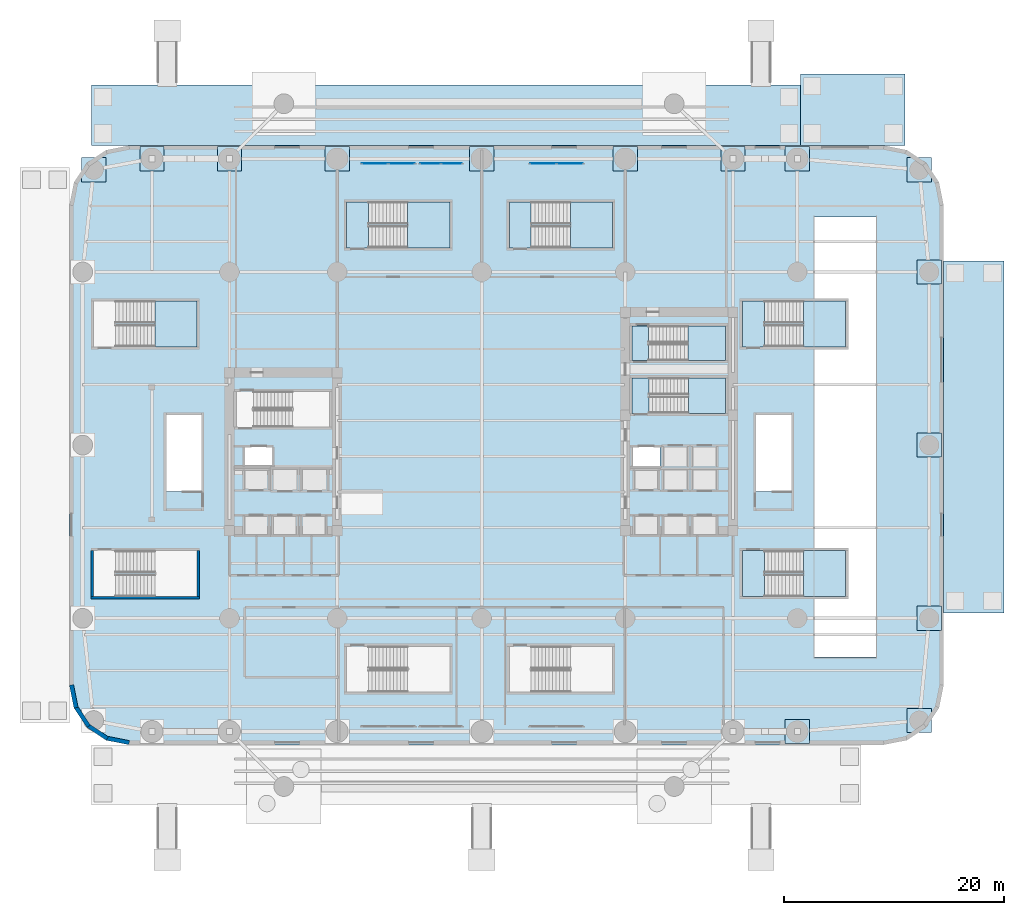
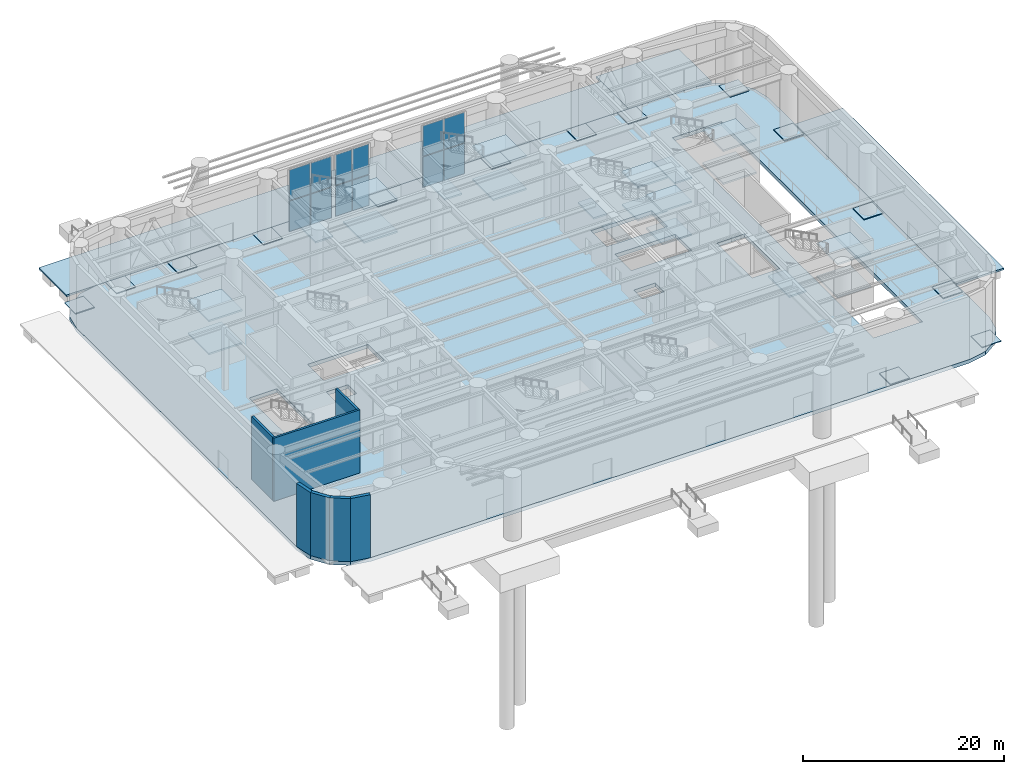
# One storey, part 8 of 25: 26 plates, 24 slabs, 7 walls, 10 elements without a shape of their own.
"""IFC4 building model written with IfcOpenShell, lengths in metres."""

from ifc_helpers import new_model, si_unit, direction, frame, frame_2d, origin, origin_2d, place, context, subcontext, project, spatial, polyline, rectangle, outline, extrude, material, layer, layer_set, type_object, element, aggregate, save


model = new_model("IFC4")

# Units and contexts
model_context = context("Model", 3, precision=1e-05, world=origin(), true_north=direction((0.0, 1.0)))
body_context = subcontext(model_context, "Body", "Model", "MODEL_VIEW")
ifc_project = project(units=[si_unit("LENGTHUNIT", "METRE"), si_unit("AREAUNIT", "SQUARE_METRE"), si_unit("VOLUMEUNIT", "CUBIC_METRE"), si_unit("PLANEANGLEUNIT", "RADIAN"), si_unit("MASSUNIT", "GRAM", prefix="KILO")], contexts=[model_context])

# Site, building, storey
site_placement = place(None, origin())
site = spatial("IfcSite", under=ifc_project, at=site_placement, CompositionType="ELEMENT")
building_placement = place(site_placement, origin())
building = spatial("IfcBuilding", under=site, at=building_placement, Name="Kolvaren Arena Tower", CompositionType="ELEMENT")
storey_placement = place(building_placement, origin())
storey = spatial("IfcBuildingStorey", under=building, at=storey_placement, Name="L00", CompositionType="ELEMENT", Elevation=0.0)

# Curtain wall, plates
ifc_material_1 = material(Name="Anodised aluminium unitised curtain wall", Category="aluminium")
curtain_wall_type = type_object("IfcCurtainWallType", Name="CW-SYS-01", PredefinedType="USERDEFINED", material=ifc_material_1)
curtain_wall_1_placement = place(storey_placement, origin())
curtain_wall_1 = element("IfcCurtainWall", 1, at=curtain_wall_1_placement, inside=storey, type_object=curtain_wall_type, Name="Ground Concourse Unitised Curtain Wall (L00)", ObjectType="UNITISED CURTAIN WALL", PredefinedType="USERDEFINED")
ifc_material_2 = material(Name="Triple-silver low-E insulated glazing unit", Category="glass")
ifc_layer_1 = layer(ifc_material_2, 0.0439453125)
ifc_layer_set_1 = layer_set([ifc_layer_1], Name="Triple-silver low-E insulated glazing unit")
plate_type_1 = type_object("IfcPlateType", Name="CWP-VIS1", PredefinedType="CURTAIN_PANEL", material=ifc_layer_set_1)
plate_1_placement = place(storey_placement, frame((27.77490234375, 52.85009765625, 0.10009765625), z_axis=(0.0, 0.0, 1.0), x_axis=(1.0, 0.0, 0.0)))
plate_1 = element("IfcPlate", 2, at=plate_1_placement, type_object=plate_type_1, Name="CW1 panel 1.1", PredefinedType="CURTAIN_PANEL", context=body_context, shape_type="SweptSolid", body=[
    extrude(rectangle(XDim=2.35009765625, YDim=0.0439453125, at=origin_2d()), origin(), (0.0, 0.0, 1.0), 3.675048828125),
])
plate_2_placement = place(storey_placement, frame((27.77490234375, 52.85009765625, 3.875), z_axis=(0.0, 0.0, 1.0), x_axis=(1.0, 0.0, 0.0)))
plate_2 = element("IfcPlate", 3, at=plate_2_placement, type_object=plate_type_1, Name="CW1 panel 1.2", PredefinedType="CURTAIN_PANEL", context=body_context, shape_type="SweptSolid", body=[
    extrude(rectangle(XDim=2.35009765625, YDim=0.0439453125, at=origin_2d()), origin(), (0.0, 0.0, 1.0), 3.675048828125),
])
plate_3_placement = place(storey_placement, frame((30.22509765625, 52.85009765625, 0.10009765625), z_axis=(0.0, 0.0, 1.0), x_axis=(1.0, 0.0, 0.0)))
plate_3 = element("IfcPlate", 4, at=plate_3_placement, type_object=plate_type_1, Name="CW1 panel 2.1", PredefinedType="CURTAIN_PANEL", context=body_context, shape_type="SweptSolid", body=[
    extrude(rectangle(XDim=2.35009765625, YDim=0.0439453125, at=origin_2d()), origin(), (0.0, 0.0, 1.0), 3.675048828125),
])
plate_4_placement = place(storey_placement, frame((30.22509765625, 52.85009765625, 3.875), z_axis=(0.0, 0.0, 1.0), x_axis=(1.0, 0.0, 0.0)))
plate_4 = element("IfcPlate", 5, at=plate_4_placement, type_object=plate_type_1, Name="CW1 panel 2.2", PredefinedType="CURTAIN_PANEL", context=body_context, shape_type="SweptSolid", body=[
    extrude(rectangle(XDim=2.35009765625, YDim=0.0439453125, at=origin_2d()), origin(), (0.0, 0.0, 1.0), 3.675048828125),
])
aggregate(curtain_wall_1, [plate_1, plate_2, plate_3, plate_4])

curtain_wall_2_placement = place(storey_placement, origin())
curtain_wall_2 = element("IfcCurtainWall", 6, at=curtain_wall_2_placement, inside=storey, type_object=curtain_wall_type, Name="Ground Concourse Unitised Curtain Wall (L00)", ObjectType="UNITISED CURTAIN WALL", PredefinedType="USERDEFINED")
plate_5_placement = place(storey_placement, frame((32.824951171875, 52.85009765625, 0.10009765625), z_axis=(0.0, 0.0, 1.0), x_axis=(1.0, 0.0, 0.0)))
plate_5 = element("IfcPlate", 7, at=plate_5_placement, type_object=plate_type_1, Name="CW1 panel 1.1", PredefinedType="CURTAIN_PANEL", context=body_context, shape_type="SweptSolid", body=[
    extrude(rectangle(XDim=1.85009765625, YDim=0.0439453125, at=origin_2d()), origin(), (0.0, 0.0, 1.0), 3.675048828125),
])
plate_6_placement = place(storey_placement, frame((32.824951171875, 52.85009765625, 3.875), z_axis=(0.0, 0.0, 1.0), x_axis=(1.0, 0.0, 0.0)))
plate_6 = element("IfcPlate", 8, at=plate_6_placement, type_object=plate_type_1, Name="CW1 panel 1.2", PredefinedType="CURTAIN_PANEL", context=body_context, shape_type="SweptSolid", body=[
    extrude(rectangle(XDim=1.85009765625, YDim=0.0439453125, at=origin_2d()), origin(), (0.0, 0.0, 1.0), 3.675048828125),
])
plate_7_placement = place(storey_placement, frame((34.77490234375, 52.85009765625, 0.10009765625), z_axis=(0.0, 0.0, 1.0), x_axis=(1.0, 0.0, 0.0)))
plate_7 = element("IfcPlate", 9, at=plate_7_placement, type_object=plate_type_1, Name="CW1 panel 2.1", PredefinedType="CURTAIN_PANEL", context=body_context, shape_type="SweptSolid", body=[
    extrude(rectangle(XDim=1.85009765625, YDim=0.0439453125, at=origin_2d()), origin(), (0.0, 0.0, 1.0), 3.675048828125),
])
plate_8_placement = place(storey_placement, frame((34.77490234375, 52.85009765625, 3.875), z_axis=(0.0, 0.0, 1.0), x_axis=(1.0, 0.0, 0.0)))
plate_8 = element("IfcPlate", 10, at=plate_8_placement, type_object=plate_type_1, Name="CW1 panel 2.2", PredefinedType="CURTAIN_PANEL", context=body_context, shape_type="SweptSolid", body=[
    extrude(rectangle(XDim=1.85009765625, YDim=0.0439453125, at=origin_2d()), origin(), (0.0, 0.0, 1.0), 3.675048828125),
])
aggregate(curtain_wall_2, [plate_5, plate_6, plate_7, plate_8])

curtain_wall_3_placement = place(storey_placement, origin())
curtain_wall_3 = element("IfcCurtainWall", 11, at=curtain_wall_3_placement, inside=storey, type_object=curtain_wall_type, Name="Ground Concourse Unitised Curtain Wall (L00)", ObjectType="UNITISED CURTAIN WALL", PredefinedType="USERDEFINED")
plate_9_placement = place(storey_placement, frame((43.074951171875, 52.85009765625, 0.10009765625), z_axis=(0.0, 0.0, 1.0), x_axis=(1.0, 0.0, 0.0)))
plate_9 = element("IfcPlate", 12, at=plate_9_placement, type_object=plate_type_1, Name="CW1 panel 1.1", PredefinedType="CURTAIN_PANEL", context=body_context, shape_type="SweptSolid", body=[
    extrude(rectangle(XDim=2.35009765625, YDim=0.0439453125, at=origin_2d()), origin(), (0.0, 0.0, 1.0), 3.675048828125),
])
plate_10_placement = place(storey_placement, frame((43.074951171875, 52.85009765625, 3.875), z_axis=(0.0, 0.0, 1.0), x_axis=(1.0, 0.0, 0.0)))
plate_10 = element("IfcPlate", 13, at=plate_10_placement, type_object=plate_type_1, Name="CW1 panel 1.2", PredefinedType="CURTAIN_PANEL", context=body_context, shape_type="SweptSolid", body=[
    extrude(rectangle(XDim=2.35009765625, YDim=0.0439453125, at=origin_2d()), origin(), (0.0, 0.0, 1.0), 3.675048828125),
])
plate_11_placement = place(storey_placement, frame((45.52490234375, 52.85009765625, 0.10009765625), z_axis=(0.0, 0.0, 1.0), x_axis=(1.0, 0.0, 0.0)))
plate_11 = element("IfcPlate", 14, at=plate_11_placement, type_object=plate_type_1, Name="CW1 panel 2.1", PredefinedType="CURTAIN_PANEL", context=body_context, shape_type="SweptSolid", body=[
    extrude(rectangle(XDim=2.35009765625, YDim=0.0439453125, at=origin_2d()), origin(), (0.0, 0.0, 1.0), 3.675048828125),
])
plate_12_placement = place(storey_placement, frame((45.52490234375, 52.85009765625, 3.875), z_axis=(0.0, 0.0, 1.0), x_axis=(1.0, 0.0, 0.0)))
plate_12 = element("IfcPlate", 15, at=plate_12_placement, type_object=plate_type_1, Name="CW1 panel 2.2", PredefinedType="CURTAIN_PANEL", context=body_context, shape_type="SweptSolid", body=[
    extrude(rectangle(XDim=2.35009765625, YDim=0.0439453125, at=origin_2d()), origin(), (0.0, 0.0, 1.0), 3.675048828125),
])
aggregate(curtain_wall_3, [plate_9, plate_10, plate_11, plate_12])

# Plates
ifc_material_3 = material(Name="Steel CSA G40.21 350WT", Category="steel")
ifc_layer_2 = layer(ifc_material_3, 0.090087890625)
ifc_layer_set_2 = layer_set([ifc_layer_2], Name="Steel CSA G40.21 350WT")
plate_type_2 = type_object("IfcPlateType", Name="PLT-BAS-S1", PredefinedType="USERDEFINED", material=ifc_layer_set_2)
for number, where, z_axis, x_axis, name in (
    (16, (66.199951171875, 1.199951171875, 0.0), (0.0, 0.0, 1.0), (1.0, 0.0, 0.0), "Composite Stilt Base Plate PS-07"),
    (17, (77.300048828125, 2.199951171875, 0.0), (0.0, 0.0, 1.0), (1.0, 0.0, 0.0), "Composite Stilt Base Plate PE-C0"),
    (18, (78.199951171875, 11.5, 0.0), (0.0, 0.0, 1.0), (1.0, 0.0, 0.0), "Composite Stilt Base Plate PE-01"),
    (19, (78.199951171875, 27.25, 0.0), (0.0, 0.0, 1.0), (1.0, 0.0, 0.0), "Composite Stilt Base Plate PE-02"),
    (20, (78.199951171875, 43.0, 0.0), (0.0, 0.0, 1.0), (1.0, 0.0, 0.0), "Composite Stilt Base Plate PE-03"),
    (21, (77.300048828125, 52.300048828125, 0.0), (0.0, 0.0, 1.0), (1.0, 0.0, 0.0), "Composite Stilt Base Plate PN-C1"),
    (22, (66.199951171875, 53.300048828125, 0.0), (0.0, 0.0, 1.0), (1.0, 0.0, 0.0), "Composite Stilt Base Plate PN-07"),
    (23, (60.35009765625, 53.300048828125, 0.0), (0.0, 0.0, 1.0), (1.0, 0.0, 0.0), "Composite Stilt Base Plate PN-06"),
    (24, (50.550048828125, 53.300048828125, 0.0), (0.0, 0.0, 1.0), (1.0, 0.0, 0.0), "Composite Stilt Base Plate PN-05"),
    (25, (37.5, 53.300048828125, 0.0), (0.0, 0.0, 1.0), (1.0, 0.0, 0.0), "Composite Stilt Base Plate PN-04"),
    (26, (24.35009765625, 53.300048828125, 0.0), (0.0, 0.0, 1.0), (1.0, 0.0, 0.0), "Composite Stilt Base Plate PN-03"),
    (27, (14.550048828125, 53.300048828125, 0.0), (0.0, 0.0, 1.0), (1.0, 0.0, 0.0), "Composite Stilt Base Plate PN-02"),
    (28, (7.5, 53.300048828125, 0.0), (0.0, 0.0, 1.0), (1.0, 0.0, 0.0), "Composite Stilt Base Plate PN-01"),
    (29, (2.199951171875, 52.300048828125, 0.0), (0.0, 0.0, 1.0), (1.0, 0.0, 0.0), "Composite Stilt Base Plate PN-C0"),
):
    element("IfcPlate", number, at=place(storey_placement, frame(where, z_axis=z_axis, x_axis=x_axis)), inside=storey, type_object=plate_type_2, Name=name, ObjectType="BASE PLATE", PredefinedType="USERDEFINED", context=body_context, shape_type="SweptSolid", body=[
        extrude(rectangle(XDim=2.199951171875, YDim=2.199951171875, at=origin_2d()), origin(), (0.0, 0.0, 1.0), 0.090087890625),
    ])

# Stair, slabs
ifc_material_4 = material(Name="Concrete 45 MPa", Category="concrete")
stair_type_1 = type_object("IfcStairType", Name="STAIR-CORE-165", PredefinedType="HALF_TURN_STAIR", material=ifc_material_4)
stair_1_placement = place(storey_placement, origin())
stair_1 = element("IfcStair", 30, at=stair_1_placement, inside=storey, type_object=stair_type_1, Name="L00 ST-E1", PredefinedType="HALF_TURN_STAIR")
ifc_layer_3 = layer(ifc_material_4, 0.199951171875)
ifc_layer_set_3 = layer_set([ifc_layer_3], Name="Concrete 45 MPa")
slab_type_1 = type_object("IfcSlabType", Name="SLAB-LAND", PredefinedType="LANDING", material=ifc_layer_set_3)
slab_1_placement = place(storey_placement, frame((0.0, 0.0, 1.800048828125)))
slab_1 = element("IfcSlab", 31, at=slab_1_placement, type_object=slab_type_1, Name="ST-E1 landing 1", PredefinedType="LANDING", context=body_context, shape_type="SweptSolid", body=[
    extrude(outline(polyline([(56.283935546875, 30.14990234375), (59.659912109375, 30.14990234375), (59.659912109375, 33.3798828125), (56.283935546875, 33.3798828125), (56.283935546875, 30.14990234375)])), origin(), (0.0, 0.0, 1.0), 0.199951171875),
])
slab_2_placement = place(storey_placement, frame((0.0, 0.0, 3.800048828125)))
slab_2 = element("IfcSlab", 32, at=slab_2_placement, type_object=slab_type_1, Name="ST-E1 landing 2", PredefinedType="LANDING", context=body_context, shape_type="SweptSolid", body=[
    extrude(outline(polyline([(51.179931640625, 30.14990234375), (52.719970703125, 30.14990234375), (52.719970703125, 33.3798828125), (51.179931640625, 33.3798828125), (51.179931640625, 30.14990234375)])), origin(), (0.0, 0.0, 1.0), 0.199951171875),
])
slab_3_placement = place(storey_placement, frame((0.0, 0.0, 5.800048828125)))
slab_3 = element("IfcSlab", 33, at=slab_3_placement, type_object=slab_type_1, Name="ST-E1 landing 3", PredefinedType="LANDING", context=body_context, shape_type="SweptSolid", body=[
    extrude(outline(polyline([(56.283935546875, 30.14990234375), (59.659912109375, 30.14990234375), (59.659912109375, 33.3798828125), (56.283935546875, 33.3798828125), (56.283935546875, 30.14990234375)])), origin(), (0.0, 0.0, 1.0), 0.199951171875),
])
aggregate(stair_1, [slab_1, slab_2, slab_3])

stair_type_2 = type_object("IfcStairType", Name="STAIR-CORE-150", PredefinedType="HALF_TURN_STAIR", material=ifc_material_4)
stair_2_placement = place(storey_placement, origin())
stair_2 = element("IfcStair", 34, at=stair_2_placement, inside=storey, type_object=stair_type_2, Name="L00 ST-E2", PredefinedType="HALF_TURN_STAIR")
slab_4_placement = place(storey_placement, frame((0.0, 0.0, 1.800048828125)))
slab_4 = element("IfcSlab", 35, at=slab_4_placement, type_object=slab_type_1, Name="ST-E2 landing 1", PredefinedType="LANDING", context=body_context, shape_type="SweptSolid", body=[
    extrude(outline(polyline([(56.243896484375, 34.949951171875), (59.659912109375, 34.949951171875), (59.659912109375, 38.10009765625), (56.243896484375, 38.10009765625), (56.243896484375, 34.949951171875)])), origin(), (0.0, 0.0, 1.0), 0.199951171875),
])
slab_5_placement = place(storey_placement, frame((0.0, 0.0, 3.800048828125)))
slab_5 = element("IfcSlab", 36, at=slab_5_placement, type_object=slab_type_1, Name="ST-E2 landing 2", PredefinedType="LANDING", context=body_context, shape_type="SweptSolid", body=[
    extrude(outline(polyline([(51.179931640625, 34.949951171875), (52.679931640625, 34.949951171875), (52.679931640625, 38.10009765625), (51.179931640625, 38.10009765625), (51.179931640625, 34.949951171875)])), origin(), (0.0, 0.0, 1.0), 0.199951171875),
])
slab_6_placement = place(storey_placement, frame((0.0, 0.0, 5.800048828125)))
slab_6 = element("IfcSlab", 37, at=slab_6_placement, type_object=slab_type_1, Name="ST-E2 landing 3", PredefinedType="LANDING", context=body_context, shape_type="SweptSolid", body=[
    extrude(outline(polyline([(56.243896484375, 34.949951171875), (59.659912109375, 34.949951171875), (59.659912109375, 38.10009765625), (56.243896484375, 38.10009765625), (56.243896484375, 34.949951171875)])), origin(), (0.0, 0.0, 1.0), 0.199951171875),
])
aggregate(stair_2, [slab_4, slab_5, slab_6])

stair_type_3 = type_object("IfcStairType", Name="STAIR-ARENA-220", PredefinedType="HALF_TURN_STAIR", material=ifc_material_4)
stair_3_placement = place(storey_placement, origin())
stair_3 = element("IfcStair", 38, at=stair_3_placement, inside=storey, type_object=stair_type_3, Name="L00 ST-A4", PredefinedType="HALF_TURN_STAIR")
slab_7_placement = place(storey_placement, frame((0.0, 0.0, 1.800048828125)))
slab_7 = element("IfcSlab", 39, at=slab_7_placement, type_object=slab_type_1, Name="ST-A4 landing 1", PredefinedType="LANDING", context=body_context, shape_type="SweptSolid", body=[
    extrude(outline(polyline([(66.763916015625, 13.5), (70.60009765625, 13.5), (70.60009765625, 17.64990234375), (66.763916015625, 17.64990234375), (66.763916015625, 13.5)])), origin(), (0.0, 0.0, 1.0), 0.199951171875),
])
slab_8_placement = place(storey_placement, frame((0.0, 0.0, 3.800048828125)))
slab_8 = element("IfcSlab", 40, at=slab_8_placement, type_object=slab_type_1, Name="ST-A4 landing 2", PredefinedType="LANDING", context=body_context, shape_type="SweptSolid", body=[
    extrude(outline(polyline([(61.199951171875, 13.5), (63.199951171875, 13.5), (63.199951171875, 17.64990234375), (61.199951171875, 17.64990234375), (61.199951171875, 13.5)])), origin(), (0.0, 0.0, 1.0), 0.199951171875),
])
slab_9_placement = place(storey_placement, frame((0.0, 0.0, 5.800048828125)))
slab_9 = element("IfcSlab", 41, at=slab_9_placement, type_object=slab_type_1, Name="ST-A4 landing 3", PredefinedType="LANDING", context=body_context, shape_type="SweptSolid", body=[
    extrude(outline(polyline([(66.763916015625, 13.5), (70.60009765625, 13.5), (70.60009765625, 17.64990234375), (66.763916015625, 17.64990234375), (66.763916015625, 13.5)])), origin(), (0.0, 0.0, 1.0), 0.199951171875),
])
aggregate(stair_3, [slab_7, slab_8, slab_9])

stair_4_placement = place(storey_placement, origin())
stair_4 = element("IfcStair", 42, at=stair_4_placement, inside=storey, type_object=stair_type_3, Name="L00 ST-A5", PredefinedType="HALF_TURN_STAIR")
slab_10_placement = place(storey_placement, frame((0.0, 0.0, 1.800048828125)))
slab_10 = element("IfcSlab", 43, at=slab_10_placement, type_object=slab_type_1, Name="ST-A5 landing 1", PredefinedType="LANDING", context=body_context, shape_type="SweptSolid", body=[
    extrude(outline(polyline([(7.763916015625, 36.199951171875), (11.60009765625, 36.199951171875), (11.60009765625, 40.35009765625), (7.763916015625, 40.35009765625), (7.763916015625, 36.199951171875)])), origin(), (0.0, 0.0, 1.0), 0.199951171875),
])
slab_11_placement = place(storey_placement, frame((0.0, 0.0, 5.800048828125)))
slab_11 = element("IfcSlab", 44, at=slab_11_placement, type_object=slab_type_1, Name="ST-A5 landing 3", PredefinedType="LANDING", context=body_context, shape_type="SweptSolid", body=[
    extrude(outline(polyline([(7.763916015625, 36.199951171875), (11.60009765625, 36.199951171875), (11.60009765625, 40.35009765625), (7.763916015625, 40.35009765625), (7.763916015625, 36.199951171875)])), origin(), (0.0, 0.0, 1.0), 0.199951171875),
])
aggregate(stair_4, [slab_10, slab_11])

stair_5_placement = place(storey_placement, origin())
stair_5 = element("IfcStair", 45, at=stair_5_placement, inside=storey, type_object=stair_type_3, Name="L00 ST-A6", PredefinedType="HALF_TURN_STAIR")
slab_12_placement = place(storey_placement, frame((0.0, 0.0, 1.800048828125)))
slab_12 = element("IfcSlab", 46, at=slab_12_placement, type_object=slab_type_1, Name="ST-A6 landing 1", PredefinedType="LANDING", context=body_context, shape_type="SweptSolid", body=[
    extrude(outline(polyline([(30.763916015625, 45.199951171875), (34.60009765625, 45.199951171875), (34.60009765625, 49.35009765625), (30.763916015625, 49.35009765625), (30.763916015625, 45.199951171875)])), origin(), (0.0, 0.0, 1.0), 0.199951171875),
])
slab_13_placement = place(storey_placement, frame((0.0, 0.0, 3.800048828125)))
slab_13 = element("IfcSlab", 47, at=slab_13_placement, type_object=slab_type_1, Name="ST-A6 landing 2", PredefinedType="LANDING", context=body_context, shape_type="SweptSolid", body=[
    extrude(outline(polyline([(25.199951171875, 45.199951171875), (27.199951171875, 45.199951171875), (27.199951171875, 49.35009765625), (25.199951171875, 49.35009765625), (25.199951171875, 45.199951171875)])), origin(), (0.0, 0.0, 1.0), 0.199951171875),
])
slab_14_placement = place(storey_placement, frame((0.0, 0.0, 5.800048828125)))
slab_14 = element("IfcSlab", 48, at=slab_14_placement, type_object=slab_type_1, Name="ST-A6 landing 3", PredefinedType="LANDING", context=body_context, shape_type="SweptSolid", body=[
    extrude(outline(polyline([(30.763916015625, 45.199951171875), (34.60009765625, 45.199951171875), (34.60009765625, 49.35009765625), (30.763916015625, 49.35009765625), (30.763916015625, 45.199951171875)])), origin(), (0.0, 0.0, 1.0), 0.199951171875),
])
aggregate(stair_5, [slab_12, slab_13, slab_14])

stair_6_placement = place(storey_placement, origin())
stair_6 = element("IfcStair", 49, at=stair_6_placement, inside=storey, type_object=stair_type_3, Name="L00 ST-A7", PredefinedType="HALF_TURN_STAIR")
slab_15_placement = place(storey_placement, frame((0.0, 0.0, 1.800048828125)))
slab_15 = element("IfcSlab", 50, at=slab_15_placement, type_object=slab_type_1, Name="ST-A7 landing 1", PredefinedType="LANDING", context=body_context, shape_type="SweptSolid", body=[
    extrude(outline(polyline([(45.56396484375, 45.199951171875), (49.39990234375, 45.199951171875), (49.39990234375, 49.35009765625), (45.56396484375, 49.35009765625), (45.56396484375, 45.199951171875)])), origin(), (0.0, 0.0, 1.0), 0.199951171875),
])
slab_16_placement = place(storey_placement, frame((0.0, 0.0, 3.800048828125)))
slab_16 = element("IfcSlab", 51, at=slab_16_placement, type_object=slab_type_1, Name="ST-A7 landing 2", PredefinedType="LANDING", context=body_context, shape_type="SweptSolid", body=[
    extrude(outline(polyline([(40.0, 45.199951171875), (42.0, 45.199951171875), (42.0, 49.35009765625), (40.0, 49.35009765625), (40.0, 45.199951171875)])), origin(), (0.0, 0.0, 1.0), 0.199951171875),
])
slab_17_placement = place(storey_placement, frame((0.0, 0.0, 5.800048828125)))
slab_17 = element("IfcSlab", 52, at=slab_17_placement, type_object=slab_type_1, Name="ST-A7 landing 3", PredefinedType="LANDING", context=body_context, shape_type="SweptSolid", body=[
    extrude(outline(polyline([(45.56396484375, 45.199951171875), (49.39990234375, 45.199951171875), (49.39990234375, 49.35009765625), (45.56396484375, 49.35009765625), (45.56396484375, 45.199951171875)])), origin(), (0.0, 0.0, 1.0), 0.199951171875),
])
aggregate(stair_6, [slab_15, slab_16, slab_17])

stair_7_placement = place(storey_placement, origin())
stair_7 = element("IfcStair", 53, at=stair_7_placement, inside=storey, type_object=stair_type_3, Name="L00 ST-A8", PredefinedType="HALF_TURN_STAIR")
slab_18_placement = place(storey_placement, frame((0.0, 0.0, 1.800048828125)))
slab_18 = element("IfcSlab", 54, at=slab_18_placement, type_object=slab_type_1, Name="ST-A8 landing 1", PredefinedType="LANDING", context=body_context, shape_type="SweptSolid", body=[
    extrude(outline(polyline([(66.763916015625, 36.199951171875), (70.60009765625, 36.199951171875), (70.60009765625, 40.35009765625), (66.763916015625, 40.35009765625), (66.763916015625, 36.199951171875)])), origin(), (0.0, 0.0, 1.0), 0.199951171875),
])
slab_19_placement = place(storey_placement, frame((0.0, 0.0, 3.800048828125)))
slab_19 = element("IfcSlab", 55, at=slab_19_placement, type_object=slab_type_1, Name="ST-A8 landing 2", PredefinedType="LANDING", context=body_context, shape_type="SweptSolid", body=[
    extrude(outline(polyline([(61.199951171875, 36.199951171875), (63.199951171875, 36.199951171875), (63.199951171875, 40.35009765625), (61.199951171875, 40.35009765625), (61.199951171875, 36.199951171875)])), origin(), (0.0, 0.0, 1.0), 0.199951171875),
])
slab_20_placement = place(storey_placement, frame((0.0, 0.0, 5.800048828125)))
slab_20 = element("IfcSlab", 56, at=slab_20_placement, type_object=slab_type_1, Name="ST-A8 landing 3", PredefinedType="LANDING", context=body_context, shape_type="SweptSolid", body=[
    extrude(outline(polyline([(66.763916015625, 36.199951171875), (70.60009765625, 36.199951171875), (70.60009765625, 40.35009765625), (66.763916015625, 40.35009765625), (66.763916015625, 36.199951171875)])), origin(), (0.0, 0.0, 1.0), 0.199951171875),
])
aggregate(stair_7, [slab_18, slab_19, slab_20])

# Slabs
ifc_material_5 = material(Name="Precast concrete C45/55", Category="concrete")
ifc_layer_4 = layer(ifc_material_5, 0.219970703125)
ifc_layer_set_4 = layer_set([ifc_layer_4], Name="Precast concrete C45/55")
slab_type_2 = type_object("IfcSlabType", Name="SLAB-PLAZA", PredefinedType="USERDEFINED", material=ifc_layer_set_4)
slab_21_placement = place(storey_placement, frame((0.0, 0.0, -0.219970703125)))
element("IfcSlab", 57, at=slab_21_placement, inside=storey, type_object=slab_type_2, Name="Exterior Plaza Paving Apron (North Drive)", ObjectType="PAVING", PredefinedType="USERDEFINED", context=body_context, shape_type="SweptSolid", body=[
    extrude(outline(polyline([(66.5, 54.5), (76.0, 54.5), (76.0, 61.0), (66.5, 61.0), (66.5, 54.5)])), origin(), (0.0, 0.0, 1.0), 0.219970703125),
])
slab_22_placement = place(storey_placement, frame((0.0, 0.0, -0.219970703125)))
element("IfcSlab", 58, at=slab_22_placement, inside=storey, type_object=slab_type_2, Name="Exterior Plaza Paving Apron (North Plaza)", ObjectType="PAVING", PredefinedType="USERDEFINED", context=body_context, shape_type="SweptSolid", body=[
    extrude(outline(polyline([(2.0, 54.5), (66.5, 54.5), (66.5, 60.0), (2.0, 60.0), (2.0, 54.5)])), origin(), (0.0, 0.0, 1.0), 0.219970703125),
])
slab_23_placement = place(storey_placement, frame((0.0, 0.0, -0.219970703125)))
element("IfcSlab", 59, at=slab_23_placement, inside=storey, type_object=slab_type_2, Name="Exterior Plaza Paving Apron (East Dock)", ObjectType="PAVING", PredefinedType="USERDEFINED", context=body_context, shape_type="SweptSolid", body=[
    extrude(outline(polyline([(79.5, 12.0), (85.0, 12.0), (85.0, 44.0), (79.5, 44.0), (79.5, 12.0)])), origin(), (0.0, 0.0, 1.0), 0.219970703125),
])
ifc_material_6 = material(Name="Concrete 60 MPa", Category="concrete")
ifc_layer_5 = layer(ifc_material_6, 0.449951171875)
ifc_layer_set_5 = layer_set([ifc_layer_5], Name="Concrete 60 MPa")
slab_type_3 = type_object("IfcSlabType", Name="SLAB-TRANS", PredefinedType="FLOOR", material=ifc_layer_set_5)
slab_24_placement = place(storey_placement, frame((0.0, 0.0, -0.449951171875)))
element("IfcSlab", 60, at=slab_24_placement, inside=storey, type_object=slab_type_3, Name="L00 Primary Structural Slab", PredefinedType="FLOOR", context=body_context, shape_type="SweptSolid", body=[
    extrude(outline(polyline([(74.10009765625, 0.0), (76.16650390625, 0.4111328125), (77.91845703125, 1.58154296875), (79.0888671875, 3.33349609375), (79.5, 5.39990234375), (79.5, 49.10009765625), (79.0888671875, 51.16650390625), (77.91845703125, 52.91845703125), (76.16650390625, 54.0888671875), (74.10009765625, 54.5), (5.39990234375, 54.5), (3.33349609375, 54.0888671875), (1.58154296875, 52.91845703125), (0.4111328125, 51.16650390625), (0.0, 49.10009765625), (0.0, 5.39990234375), (0.4111328125, 3.33349609375), (1.58154296875, 1.58154296875), (3.33349609375, 0.4111328125), (5.39990234375, 0.0), (74.10009765625, 0.0)]), holes=[polyline([(73.35009765625, 8.0), (67.75, 8.0), (67.75, 48.0), (73.35009765625, 48.0), (73.35009765625, 8.0)]), polyline([(12.0, 30.0), (12.0, 23.034912109375), (8.81005859375, 23.034912109375), (8.81005859375, 30.0), (12.0, 30.0)]), polyline([(65.64990234375, 30.0), (65.64990234375, 23.034912109375), (62.4599609375, 23.034912109375), (62.4599609375, 30.0), (65.64990234375, 30.0)]), polyline([(18.43994140625, 25.3349609375), (15.9599609375, 25.3349609375), (15.9599609375, 27.06494140625), (18.43994140625, 27.06494140625), (18.43994140625, 25.3349609375)]), polyline([(53.699951171875, 25.3349609375), (51.219970703125, 25.3349609375), (51.219970703125, 27.06494140625), (53.699951171875, 27.06494140625), (53.699951171875, 25.3349609375)]), polyline([(23.659912109375, 28.89990234375), (16.735107421875, 28.89990234375), (16.735107421875, 32.1298828125), (23.659912109375, 32.1298828125), (23.659912109375, 28.89990234375)]), polyline([(59.659912109375, 30.14990234375), (52.735107421875, 30.14990234375), (52.735107421875, 33.3798828125), (59.659912109375, 33.3798828125), (59.659912109375, 30.14990234375)]), polyline([(59.659912109375, 34.949951171875), (52.695068359375, 34.949951171875), (52.695068359375, 38.10009765625), (59.659912109375, 38.10009765625), (59.659912109375, 34.949951171875)])]), origin(), (0.0, 0.0, 1.0), 0.449951171875),
])

# Walls
ifc_material_7 = material(Name="Precast concrete C50/60", Category="concrete")
ifc_layer_6 = layer(ifc_material_7, 0.3798828125)
ifc_layer_set_6 = layer_set([ifc_layer_6], Name="Precast concrete C50/60")
wall_type_1 = type_object("IfcWallType", Name="EXT-ARENA", PredefinedType="SOLIDWALL", material=ifc_layer_set_6)
for number, where, z_axis, x_axis, name in (
    (61, (0.597412109375, 3.37060546875, 0.0), (0.0, 0.0, 1.0), (-0.195135546048, 0.9807762837, 0.0), "Exterior Precast Masonry-Frame Wall (L00)"),
    (62, (1.739501953125, 1.687255859375, 0.0), (0.0, 0.0, 1.0), (-0.555502146192, 0.831515102434, 0.0), "Exterior Precast Masonry-Frame Wall (L00)"),
    (63, (3.439208984375, 0.569091796875, 0.0), (0.0, 0.0, 1.0), (-0.831515102434, 0.555502146192, 0.0), "Exterior Precast Masonry-Frame Wall (L00)"),
    (64, (5.43701171875, 0.186279296875, 0.0), (0.0, 0.0, 1.0), (-0.9807762837, 0.195135546048, 0.0), "Exterior Precast Masonry-Frame Wall (L00)"),
):
    element("IfcWall", number, at=place(storey_placement, frame(where, z_axis=z_axis, x_axis=x_axis)), inside=storey, type_object=wall_type_1, Name=name, PredefinedType="SOLIDWALL", context=body_context, shape_type="SweptSolid", body=[
        extrude(rectangle(XDim=2.10693359375, YDim=0.3798828125, at=frame_2d((1.053466796875, 0.0))), origin(), (0.0, 0.0, 1.0), 7.64990234375),
    ])
ifc_layer_7 = layer(ifc_material_4, 0.25)
ifc_layer_set_7 = layer_set([ifc_layer_7], Name="Concrete 45 MPa")
wall_type_2 = type_object("IfcWallType", Name="SHAFT-250", PredefinedType="SOLIDWALL", material=ifc_layer_set_7)
wall_placement = place(storey_placement, frame((1.9599609375, 13.3798828125, 0.0), z_axis=(0.0, 0.0, 1.0), x_axis=(1.0, 0.0, 0.0)))
element("IfcWall", 65, at=wall_placement, inside=storey, type_object=wall_type_2, Name="Stair ST-A1 Rear Shaft Wall (L00)", PredefinedType="SOLIDWALL", context=body_context, shape_type="SweptSolid", body=[
    extrude(rectangle(XDim=9.880126953125, YDim=0.239990234375, at=frame_2d((4.93994140625, 0.0))), origin(), (0.0, 0.0, 1.0), 7.64990234375),
])
for number, where, z_axis, x_axis, name in (
    (66, (2.080078125, 13.5, 0.0), (0.0, 0.0, 1.0), (0.0, 1.0, 0.0), "Stair ST-A1 West Shaft Wall (L00)"),
    (67, (11.719970703125, 13.5, 0.0), (0.0, 0.0, 1.0), (0.0, 1.0, 0.0), "Stair ST-A1 East Shaft Wall (L00)"),
):
    element("IfcWall", number, at=place(storey_placement, frame(where, z_axis=z_axis, x_axis=x_axis)), inside=storey, type_object=wall_type_2, Name=name, PredefinedType="SOLIDWALL", context=body_context, shape_type="SweptSolid", body=[
        extrude(rectangle(XDim=4.14990234375, YDim=0.239990234375, at=frame_2d((2.074951171875, 0.0))), origin(), (0.0, 0.0, 1.0), 7.64990234375),
    ])

save(model, "model.ifc")
